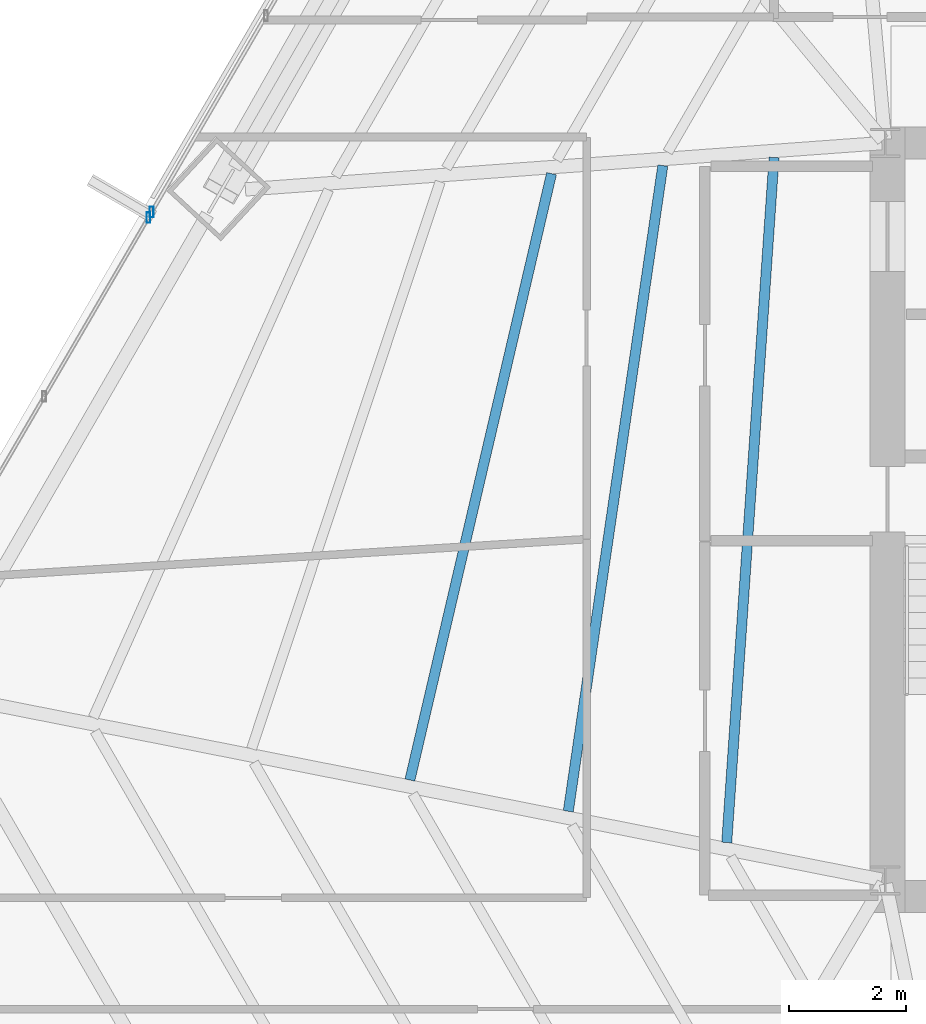
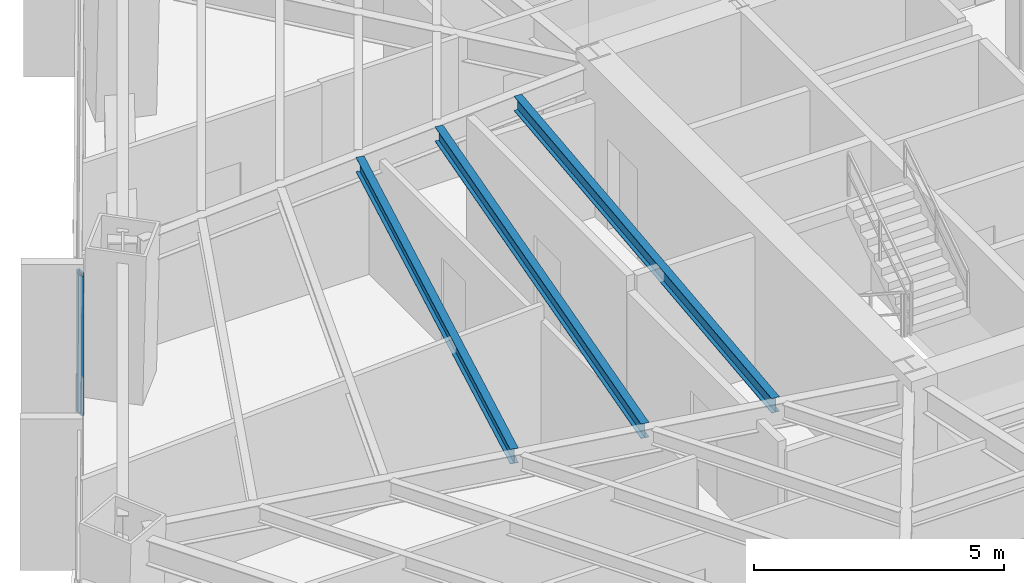
# One storey, part 9 of 33: 3 beams, 2 members, 2 elements without a shape of their own.
"""IFC4 building model written with IfcOpenShell, lengths in metres."""

from ifc_helpers import new_model, si_unit, direction, frame, origin, origin_2d, place, context, subcontext, project, spatial, hollow_rectangle, i_section, extrude, source, transform, mapped, material, material_profile, profile_set, type_object, type_shapes, element, aggregate, save


model = new_model("IFC4")

# Units and contexts
model_context = context("Model", 3, precision=1e-05, world=origin(), true_north=direction((0.0, 1.0)))
body_context = subcontext(model_context, "Body", "Model", "MODEL_VIEW")
ifc_project = project(units=[si_unit("LENGTHUNIT", "METRE"), si_unit("AREAUNIT", "SQUARE_METRE"), si_unit("VOLUMEUNIT", "CUBIC_METRE"), si_unit("PLANEANGLEUNIT", "RADIAN"), si_unit("MASSUNIT", "GRAM", prefix="KILO")], contexts=[model_context])

# Site, building, storey
site_placement = place(None, origin())
site = spatial("IfcSite", under=ifc_project, at=site_placement, CompositionType="ELEMENT")
building_placement = place(site_placement, origin())
building = spatial("IfcBuilding", under=site, at=building_placement, Name="Caelisora Broadcast Tower", CompositionType="ELEMENT")
storey_placement = place(building_placement, frame((0.0, 0.0, 38.550048828125)))
storey = spatial("IfcBuildingStorey", under=building, at=storey_placement, Name="L09", CompositionType="ELEMENT", Elevation=38.550048828125)

# Beams
ifc_material_1 = material(Name="Steel Grade 350 (AS/NZS 3679.1)", Category="steel")
ifc_material_profile_1 = material_profile(ifc_material_1, i_section(OverallWidth=0.172119140625, OverallDepth=0.358642578125, WebThickness=0.008056640625, FlangeThickness=0.012939453125, at=origin_2d()), Name="Steel Grade 350 (AS/NZS 3679.1)")
ifc_profile_set_1 = profile_set([ifc_material_profile_1], Name="Steel Grade 350 (AS/NZS 3679.1)")
beam_type = type_object("IfcBeamType", Name="SB02", PredefinedType="JOIST", material=ifc_profile_set_1)
shared_shape_1 = source(origin(), body_context, "Body", "SweptSolid", [
    extrude(i_section(OverallWidth=0.172119140625, OverallDepth=0.358642578125, WebThickness=0.008056640625, FlangeThickness=0.012939453125, at=origin_2d()), origin(), (0.0, 0.0, 1.0), 11.731201171875),
])
beam_1_placement = place(storey_placement, frame((28.600830078125, 29.75048828125, 3.220703125), z_axis=(-0.068905654328, -0.997623180766, 0.0), x_axis=(0.997623180766, -0.068905654328, 0.0)))
element("IfcBeam", 1, at=beam_1_placement, inside=storey, type_object=beam_type, Name="L09 beam SB02", PredefinedType="JOIST", context=body_context, shape_type="MappedRepresentation", body=[
    mapped(shared_shape_1, transform((0.0, 0.0, 0.0), scale=1.0)),
])
shared_shape_2 = source(origin(), body_context, "Body", "SweptSolid", [
    extrude(i_section(OverallWidth=0.172119140625, OverallDepth=0.358642578125, WebThickness=0.008056640625, FlangeThickness=0.012939453125, at=origin_2d()), origin(), (0.0, 0.0, 1.0), 11.14892578125),
])
beam_2_placement = place(storey_placement, frame((26.70068359375, 29.6123046875, 3.220703125), z_axis=(-0.144878661154, -0.989449429502, 0.0), x_axis=(0.989449429502, -0.144878661154, 0.0)))
element("IfcBeam", 2, at=beam_2_placement, inside=storey, type_object=beam_type, Name="L09 beam SB02", PredefinedType="JOIST", context=body_context, shape_type="MappedRepresentation", body=[
    mapped(shared_shape_2, transform((0.0, 0.0, 0.0), scale=1.0)),
])
shared_shape_3 = source(origin(), body_context, "Body", "SweptSolid", [
    extrude(i_section(OverallWidth=0.172119140625, OverallDepth=0.358642578125, WebThickness=0.008056640625, FlangeThickness=0.012939453125, at=origin_2d()), origin(), (0.0, 0.0, 1.0), 10.63818359375),
])
type_shapes(beam_type, [shared_shape_1, shared_shape_2, shared_shape_3])
beam_3_placement = place(storey_placement, frame((24.79931640625, 29.47412109375, 3.220703125), z_axis=(-0.227473369131, -0.973784301751, 0.0), x_axis=(0.973784301751, -0.227473369131, 0.0)))
element("IfcBeam", 3, at=beam_3_placement, inside=storey, type_object=beam_type, Name="L09 beam SB02", PredefinedType="JOIST", context=body_context, shape_type="MappedRepresentation", body=[
    mapped(shared_shape_3, transform((0.0, 0.0, 0.0), scale=1.0)),
])

# Curtain wall, member
ifc_material_2 = material(Name="Unitised Aluminium and Low-E Glass Curtain Wall", Category="glass")
curtain_wall_type_1 = type_object("IfcCurtainWallType", Name="CW-Z1", PredefinedType="NOTDEFINED", material=ifc_material_2)
curtain_wall_1_placement = place(storey_placement, origin())
curtain_wall_1 = element("IfcCurtainWall", 4, at=curtain_wall_1_placement, inside=storey, type_object=curtain_wall_type_1, Name="L09 curtain wall CW-Z1", PredefinedType="NOTDEFINED")
ifc_material_3 = material(Name="Aluminium 6063-T6 Anodised Terracotta Bronze", Category="aluminium")
ifc_material_profile_2 = material_profile(ifc_material_3, hollow_rectangle(XDim=0.06494140625, YDim=0.179931640625, WallThickness=0.00341796875, at=origin_2d()), Name="Aluminium 6063-T6 Anodised Terracotta Bronze")
ifc_profile_set_2 = profile_set([ifc_material_profile_2], Name="Aluminium 6063-T6 Anodised Terracotta Bronze")
member_type = type_object("IfcMemberType", Name="CWM-02", PredefinedType="MULLION", material=ifc_profile_set_2)
shared_shape_4 = source(origin(), body_context, "Body", "SweptSolid", [
    extrude(hollow_rectangle(XDim=0.06494140625, YDim=0.179931640625, WallThickness=0.00341796875, at=origin_2d()), origin(), (0.0, 0.0, 1.0), 3.39990234375),
])
type_shapes(member_type, [shared_shape_4])
member_1_placement = place(storey_placement, frame((17.912109375, 28.72314453125, 0.0), z_axis=(0.0, 0.0, 1.0), x_axis=(1.0, 0.0, 0.0)))
member_1 = element("IfcMember", 5, at=member_1_placement, type_object=member_type, Name="L09-CW-B09 mullion #3", PredefinedType="MULLION", context=body_context, shape_type="MappedRepresentation", body=[
    mapped(shared_shape_4, transform((0.0, 0.0, 0.0), scale=1.0)),
])
aggregate(curtain_wall_1, [member_1])

ifc_material_4 = material(Name="Unitised Aluminium Insulated Shadow-Box Spandrel Curtain Wall", Category="aluminium")
curtain_wall_type_2 = type_object("IfcCurtainWallType", Name="CW-SP1", PredefinedType="NOTDEFINED", material=ifc_material_4)
curtain_wall_2_placement = place(storey_placement, origin())
curtain_wall_2 = element("IfcCurtainWall", 6, at=curtain_wall_2_placement, inside=storey, type_object=curtain_wall_type_2, Name="L09 curtain wall CW-SP1", PredefinedType="NOTDEFINED")
member_2_placement = place(storey_placement, frame((17.96728515625, 28.818115234375, 0.0), z_axis=(0.0, 0.0, 1.0), x_axis=(1.0, 0.0, 0.0)))
member_2 = element("IfcMember", 7, at=member_2_placement, type_object=member_type, Name="L09-CW-B10 mullion #0", PredefinedType="MULLION", context=body_context, shape_type="MappedRepresentation", body=[
    mapped(shared_shape_4, transform((0.0, 0.0, 0.0), scale=1.0)),
])
aggregate(curtain_wall_2, [member_2])

save(model, "model.ifc")
